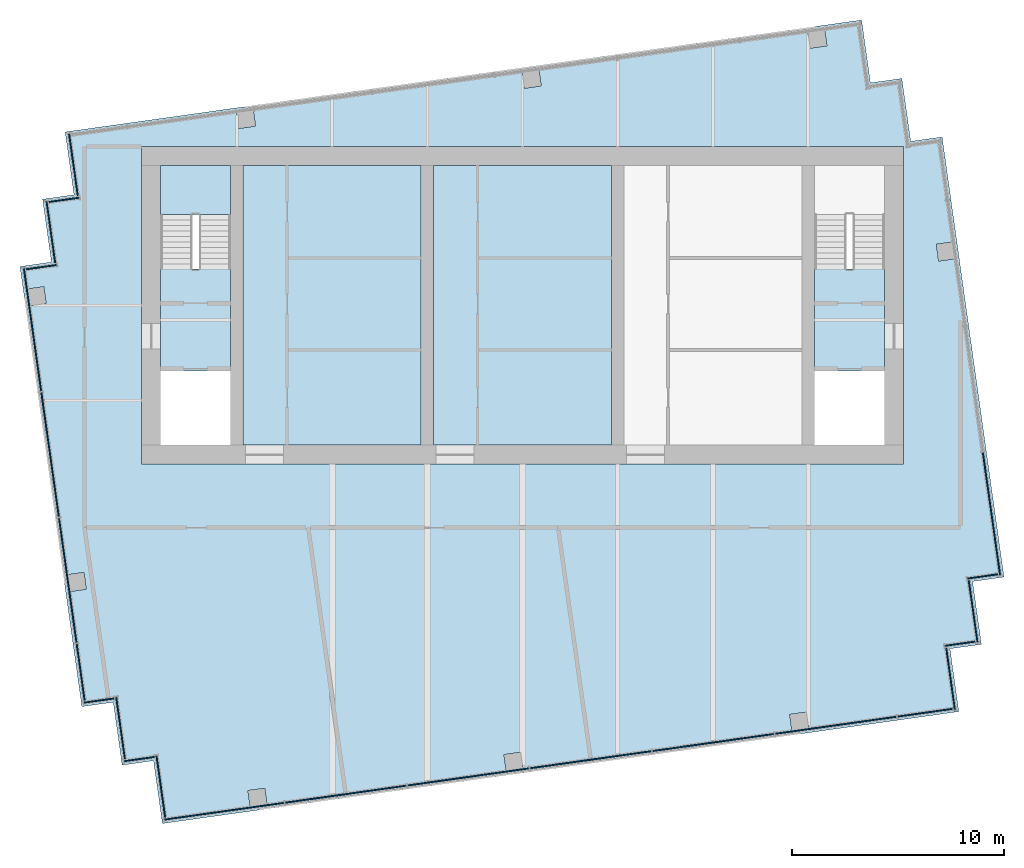
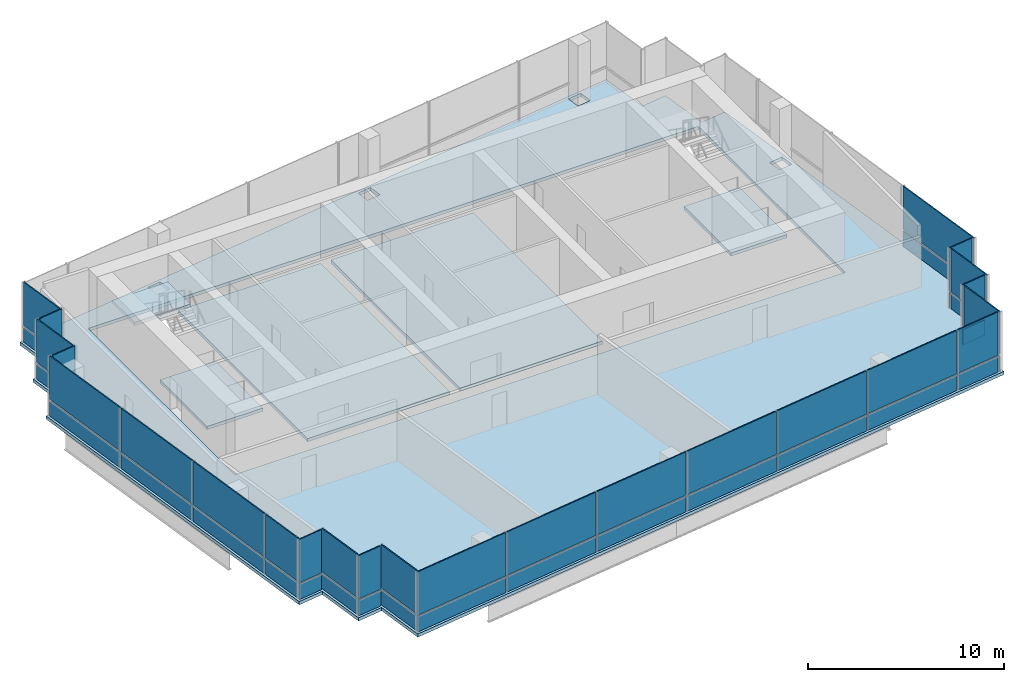
# One storey, part 6 of 9: 48 plates, 6 slabs, 16 elements without a shape of their own.
"""IFC4 building model written with IfcOpenShell, lengths in metres."""

import ifcopenshell
import ifcopenshell.guid

model = None  # the IFC model being written
_history = None  # IfcOwnerHistory: only IFC2X3 demands one
_inside = {}  # id of a spatial element -> (the spatial element, [elements in it])
_under = {}  # id of a project, library or spatial element -> (it, [spatial elements below it])
_declared = {}  # id of a project -> (the project, [libraries it declares])
_typed = {}  # id of a type object -> (the type object, [elements of that type])
_made_of = {}  # id of a material, layer set ... -> (it, [elements and type objects made of it])


def new_model(schema):
    """Start an empty IFC model of exactly this schema.

    Asked for "IFC4X3", IfcOpenShell would pick the latest addendum, in which some entities
    have other attributes; the version numbers below select the first issue.
    IFC2X3 requires an IfcOwnerHistory on every rooted entity: one is made here for all.
    """
    global model, _history
    if schema == "IFC4X3":
        model = ifcopenshell.file(schema_version=(4, 3, 0, 0))
    else:
        model = ifcopenshell.file(schema=schema)
    _inside.clear()
    _under.clear()
    _declared.clear()
    _typed.clear()
    _made_of.clear()
    _history = None
    if model.schema == "IFC2X3":
        org = make("IfcOrganization", Name="unknown")
        user = make(
            "IfcPersonAndOrganization",
            ThePerson=make("IfcPerson", FamilyName="unknown"),
            TheOrganization=org,
        )
        app = make(
            "IfcApplication",
            ApplicationDeveloper=org,
            Version="unknown",
            ApplicationFullName="unknown",
            ApplicationIdentifier="unknown",
        )
        _history = make(
            "IfcOwnerHistory",
            OwningUser=user,
            OwningApplication=app,
            ChangeAction="ADDED",
            CreationDate=0,
        )
    return model


def make(cls, **values):
    """One entity of the class cls with the attributes given. An attribute that is None is left unset."""
    return model.create_entity(
        cls, **{name: value for name, value in values.items() if value is not None}
    )


def rooted(cls, **values):
    """An entity with a GlobalId (a new one), such as an element, a storey or a relation."""
    return make(cls, GlobalId=ifcopenshell.guid.new(), OwnerHistory=_history, **values)


def si_unit(unit_type, name, prefix=None):
    """IfcSIUnit, for example si_unit("LENGTHUNIT", "METRE", prefix="MILLI")."""
    return make("IfcSIUnit", UnitType=unit_type, Prefix=prefix, Name=name)


def assignment(units):
    """IfcUnitAssignment: the units of a project."""
    return None if units is None else make("IfcUnitAssignment", Units=units)


def point(xyz):
    """IfcCartesianPoint."""
    return None if xyz is None else make("IfcCartesianPoint", Coordinates=xyz)


def direction(xyz):
    """IfcDirection."""
    return None if xyz is None else make("IfcDirection", DirectionRatios=xyz)


def frame(location, z_axis=None, x_axis=None):
    """IfcAxis2Placement3D, a coordinate frame: its origin and axes. An axis left out is left unset."""
    return make(
        "IfcAxis2Placement3D",
        Location=point(location),
        Axis=direction(z_axis),
        RefDirection=direction(x_axis),
    )


def frame_2d(location, x_axis=None):
    """IfcAxis2Placement2D, a coordinate frame in the plane: its origin and x axis."""
    return make(
        "IfcAxis2Placement2D", Location=point(location), RefDirection=direction(x_axis)
    )


def origin():
    """The frame at (0, 0, 0) with its axes left unset."""
    return frame((0.0, 0.0, 0.0))


def origin_2d():
    """The frame at (0, 0) in the plane with its x axis left unset."""
    return frame_2d((0.0, 0.0))


def place(relative_to, where):
    """IfcLocalPlacement: puts the frame where relative to a parent placement (None: the world)."""
    return make(
        "IfcLocalPlacement", PlacementRelTo=relative_to, RelativePlacement=where
    )


def context(
    kind, dimensions, precision=None, world=None, true_north=None, identifier=None
):
    """IfcGeometricRepresentationContext, for example the 3D "Model" context."""
    return make(
        "IfcGeometricRepresentationContext",
        ContextIdentifier=identifier,
        ContextType=kind,
        CoordinateSpaceDimension=dimensions,
        Precision=precision,
        WorldCoordinateSystem=world,
        TrueNorth=true_north,
    )


def subcontext(parent, identifier, kind, view, scale=None):
    """IfcGeometricRepresentationSubContext, for example "Body" below "Model"."""
    return make(
        "IfcGeometricRepresentationSubContext",
        ContextIdentifier=identifier,
        ContextType=kind,
        ParentContext=parent,
        TargetScale=scale,
        TargetView=view,
    )


def project(units=None, contexts=None):
    """IfcProject with its units and contexts."""
    return rooted(
        "IfcProject",
        Name="project",
        RepresentationContexts=contexts,
        UnitsInContext=assignment(units),
    )


def spatial(cls, under=None, at=None, **own):
    """A site, building, storey or space (cls), placed at a placement, below another one or the project."""
    s = rooted(cls, ObjectPlacement=at, **own)
    if under is not None:
        _under.setdefault(under.id(), (under, []))[1].append(s)
    return s


def polyline(points):
    """IfcPolyline through the points."""
    return make("IfcPolyline", Points=[point(p) for p in points])


def profile(cls, at=None, kind="AREA", **sizes):
    """A parametric profile (cls). Its sizes go by their IFC names, for example OverallWidth=200.0."""
    return make(cls, ProfileType=kind, Position=at, **sizes)


def rectangle(**sizes):
    """IfcRectangleProfileDef."""
    return profile("IfcRectangleProfileDef", **sizes)


def outline(outer, holes=None, kind="AREA"):
    """IfcArbitraryClosedProfileDef: a profile drawn as a closed curve; with holes, ...WithVoids."""
    if holes is None:
        return make("IfcArbitraryClosedProfileDef", ProfileType=kind, OuterCurve=outer)
    return make(
        "IfcArbitraryProfileDefWithVoids",
        ProfileType=kind,
        OuterCurve=outer,
        InnerCurves=holes,
    )


def extrude(swept, where, along, depth):
    """IfcExtrudedAreaSolid: the profile swept, set in the frame where, extruded along a direction by depth."""
    return make(
        "IfcExtrudedAreaSolid",
        SweptArea=swept,
        Position=where,
        ExtrudedDirection=direction(along),
        Depth=depth,
    )


def shape(context_of_items, identifier, shape_type, items):
    """IfcShapeRepresentation: the items that make up one representation, for example the "Body"."""
    return make(
        "IfcShapeRepresentation",
        ContextOfItems=context_of_items,
        RepresentationIdentifier=identifier,
        RepresentationType=shape_type,
        Items=items,
    )


def material(Name=None, Category=None):
    """IfcMaterial."""
    return make("IfcMaterial", Name=Name, Category=Category)


def layer(
    of_material, thickness, ventilated=None, Name=None, Category=None, Priority=None
):
    """IfcMaterialLayer: one layer of a wall or slab, of a material (None: an air gap)."""
    return make(
        "IfcMaterialLayer",
        Material=of_material,
        LayerThickness=thickness,
        IsVentilated=ventilated,
        Name=Name,
        Category=Category,
        Priority=Priority,
    )


def layer_set(layers, Name=None):
    """IfcMaterialLayerSet."""
    return make("IfcMaterialLayerSet", MaterialLayers=layers, LayerSetName=Name)


def made_of(thing, what):
    """Note that an element or type object is made of a material, layer set ...; save() writes the relation."""
    if what is not None:
        _made_of.setdefault(what.id(), (what, []))[1].append(thing)
    return thing


def type_object(cls, material=None, **own):
    """A type object (cls), such as IfcWallType, which elements share."""
    return made_of(rooted(cls, **own), material)


def element(
    cls,
    number,
    at=None,
    inside=None,
    cuts=None,
    type_object=None,
    material=None,
    context=None,
    identifier="Body",
    shape_type=None,
    held_by="IfcProductDefinitionShape",
    body=None,
    shapes=None,
    **own,
):
    """One element of the class cls, such as IfcWall. Its Tag is "e" and its number.

    at: its placement. inside: the storey or other place that contains it. cuts: it is an
    opening in that element (IfcRelVoidsElement). A single representation is given by context,
    identifier, shape_type and body (its items); several are given by shapes. held_by: the class
    of the entity that holds the representations. save() writes the other relations.
    """
    e = rooted(cls, Tag="e%d" % number, ObjectPlacement=at, **own)
    if body is not None:
        shapes = [shape(context, identifier, shape_type, body)]
    if shapes is not None:
        e.Representation = make(held_by, Representations=shapes)
    if inside is not None:
        _inside.setdefault(inside.id(), (inside, []))[1].append(e)
    if cuts is not None:
        rooted(
            "IfcRelVoidsElement", RelatingBuildingElement=cuts, RelatedOpeningElement=e
        )
    if type_object is not None:
        _typed.setdefault(type_object.id(), (type_object, []))[1].append(e)
    return made_of(e, material)


def aggregate(whole, parts):
    """IfcRelAggregates: a whole, such as a stair, and the parts it consists of."""
    return rooted("IfcRelAggregates", RelatingObject=whole, RelatedObjects=parts)


def save(model, path):
    """Write the relations noted so far, then the file.

    IfcRelAggregates (storeys below a building ...), IfcRelContainedInSpatialStructure (elements
    in a storey), IfcRelDefinesByType, IfcRelAssociatesMaterial and IfcRelDeclares: one each for
    every whole, place, type object, material and project.
    """
    for whole, parts in _under.values():
        aggregate(whole, parts)
    for where, things in _inside.values():
        rooted(
            "IfcRelContainedInSpatialStructure",
            RelatedElements=things,
            RelatingStructure=where,
        )
    for kind, things in _typed.values():
        rooted("IfcRelDefinesByType", RelatedObjects=things, RelatingType=kind)
    for what, things in _made_of.values():
        rooted("IfcRelAssociatesMaterial", RelatedObjects=things, RelatingMaterial=what)
    for by, libraries in _declared.values():
        rooted("IfcRelDeclares", RelatingContext=by, RelatedDefinitions=libraries)
    model.write(path)


model = new_model("IFC4")

# Units and contexts
model_context = context("Model", 3, precision=1e-05, world=origin(), true_north=direction((0.0, 1.0)))
body_context = subcontext(model_context, "Body", "Model", "MODEL_VIEW")
ifc_project = project(units=[si_unit("LENGTHUNIT", "METRE"), si_unit("AREAUNIT", "SQUARE_METRE"), si_unit("VOLUMEUNIT", "CUBIC_METRE"), si_unit("PLANEANGLEUNIT", "RADIAN"), si_unit("MASSUNIT", "GRAM", prefix="KILO")], contexts=[model_context])

# Site, building, storey
site_placement = place(None, origin())
site = spatial("IfcSite", under=ifc_project, at=site_placement, CompositionType="ELEMENT")
building_placement = place(site_placement, origin())
building = spatial("IfcBuilding", under=site, at=building_placement, Name="Rattan Terrace Tower", CompositionType="ELEMENT")
storey_placement = place(building_placement, frame((0.0, 0.0, 312.300048828125)))
storey = spatial("IfcBuildingStorey", under=building, at=storey_placement, Name="C06", CompositionType="ELEMENT", Elevation=312.300048828125)

# Stair, slab
ifc_material_1 = material(Name="Concrete C40/50", Category="concrete")
stair_type = type_object("IfcStairType", Name="Core exit stair 1500", PredefinedType="HALF_TURN_STAIR", material=ifc_material_1)
stair_placement = place(storey_placement, origin())
stair = element("IfcStair", 1, at=stair_placement, inside=storey, type_object=stair_type, Name="C06 exit stair 1", PredefinedType="HALF_TURN_STAIR")
ifc_material_2 = material(Name="Concrete C40/50", Category="concrete")
ifc_layer_1 = layer(ifc_material_2, 0.199951171875)
ifc_layer_set_1 = layer_set([ifc_layer_1], Name="Core exit stair landing")
slab_type_1 = type_object("IfcSlabType", Name="Core exit stair landing", PredefinedType="LANDING", material=ifc_layer_set_1)
slab_1_placement = place(storey_placement, frame((0.0, 0.0, 1.800048828125)))
slab_1 = element("IfcSlab", 2, at=slab_1_placement, type_object=slab_type_1, Name="S1 landing 1", PredefinedType="LANDING", context=body_context, shape_type="SweptSolid", body=[
    extrude(outline(polyline([(-13.800048828125, 4.300048828125), (-13.800048828125, 6.60009765625), (-17.10009765625, 6.60009765625), (-17.10009765625, 4.300048828125), (-13.800048828125, 4.300048828125)])), origin(), (0.0, 0.0, 1.0), 0.199951171875),
])
aggregate(stair, [slab_1])

# Slabs
ifc_material_3 = material(Name="Concrete C35/45", Category="concrete")
ifc_layer_2 = layer(ifc_material_3, 0.199951171875)
ifc_layer_set_2 = layer_set([ifc_layer_2], Name="Frame composite floor slab 200")
slab_type_2 = type_object("IfcSlabType", Name="Frame composite floor slab 200", PredefinedType="FLOOR", material=ifc_layer_set_2)
slab_2_placement = place(storey_placement, frame((0.0, 0.0, -0.199951171875)))
element("IfcSlab", 3, at=slab_2_placement, inside=storey, type_object=slab_type_2, Name="Floor slab", PredefinedType="FLOOR", context=body_context, shape_type="SweptSolid", body=[
    extrude(outline(polyline([(-22.260986328125, 2.0458984375), (-23.7470703125, 1.8369140625), (-20.823974609375, -18.958984375), (-19.340087890625, -18.75), (-18.9208984375, -21.722900390625), (-17.43701171875, -21.514892578125), (-17.01904296875, -24.48388671875), (-16.52392578125, -24.4140625), (20.115966796875, -19.263916015625), (20.612060546875, -19.195068359375), (20.195068359375, -16.22509765625), (21.678955078125, -16.01611328125), (21.260986328125, -13.0458984375), (22.7470703125, -12.8369140625), (19.823974609375, 7.958984375), (18.340087890625, 7.75), (17.9208984375, 10.722900390625), (16.43701171875, 10.514892578125), (16.01904296875, 13.48388671875), (15.52392578125, 13.4140625), (-21.115966796875, 8.263916015625), (-21.612060546875, 8.195068359375), (-21.195068359375, 5.22509765625), (-22.678955078125, 5.01611328125), (-22.260986328125, 2.0458984375)]), holes=[polyline([(-12.0732421875, -23.6064453125), (-12.1845703125, -22.814208984375), (-12.976806640625, -22.925537109375), (-12.865478515625, -23.7177734375), (-12.0732421875, -23.6064453125)]), polyline([(0.022705078125, -21.906494140625), (-0.088623046875, -21.1142578125), (-0.880859375, -21.2255859375), (-0.769287109375, -22.017822265625), (0.022705078125, -21.906494140625)]), polyline([(-20.7255859375, -12.619140625), (-21.517822265625, -12.730712890625), (-21.406494140625, -13.522705078125), (-20.6142578125, -13.411376953125), (-20.7255859375, -12.619140625)]), polyline([(-18.0, -6.60009765625), (-18.0, -7.5), (18.0, -7.5), (18.0, -6.60009765625), (18.0, 6.60009765625), (18.0, 7.5), (-18.0, 7.5), (-18.0, 6.60009765625), (-18.0, -6.60009765625)]), polyline([(-22.51123046875, 0.088623046875), (-22.62255859375, 0.880859375), (-23.414794921875, 0.769287109375), (-23.303466796875, -0.022705078125), (-22.51123046875, 0.088623046875)]), polyline([(-12.619140625, 8.468505859375), (-12.730712890625, 9.2607421875), (-13.522705078125, 9.1494140625), (-13.411376953125, 8.357177734375), (-12.619140625, 8.468505859375)]), polyline([(13.522705078125, -20.009521484375), (13.411376953125, -19.21728515625), (12.619140625, -19.32861328125), (12.730712890625, -20.120849609375), (13.522705078125, -20.009521484375)]), polyline([(20.45068359375, 2.20556640625), (20.33935546875, 2.997802734375), (19.547119140625, 2.886474609375), (19.65869140625, 2.09423828125), (20.45068359375, 2.20556640625)]), polyline([(0.088623046875, 10.255126953125), (0.880859375, 10.36669921875), (0.769287109375, 11.15869140625), (-0.022705078125, 11.04736328125), (0.088623046875, 10.255126953125)]), polyline([(13.588623046875, 12.152099609375), (14.380859375, 12.263671875), (14.269287109375, 13.055908203125), (13.477294921875, 12.9443359375), (13.588623046875, 12.152099609375)])]), origin(), (0.0, 0.0, 1.0), 0.199951171875),
])
slab_3_placement = place(storey_placement, frame((0.0, 0.0, -0.199951171875)))
element("IfcSlab", 4, at=slab_3_placement, inside=storey, type_object=slab_type_2, Name="Floor slab", PredefinedType="FLOOR", context=body_context, shape_type="SweptSolid", body=[
    extrude(outline(polyline([(-13.199951171875, 6.60009765625), (-13.199951171875, -6.60009765625), (-4.800048828125, -6.60009765625), (-4.800048828125, 6.60009765625), (-13.199951171875, 6.60009765625)])), origin(), (0.0, 0.0, 1.0), 0.199951171875),
])
slab_4_placement = place(storey_placement, frame((0.0, 0.0, -0.199951171875)))
element("IfcSlab", 5, at=slab_4_placement, inside=storey, type_object=slab_type_2, Name="Floor slab", PredefinedType="FLOOR", context=body_context, shape_type="SweptSolid", body=[
    extrude(outline(polyline([(-4.199951171875, 6.60009765625), (-4.199951171875, -6.60009765625), (4.199951171875, -6.60009765625), (4.199951171875, 6.60009765625), (-4.199951171875, 6.60009765625)])), origin(), (0.0, 0.0, 1.0), 0.199951171875),
])
slab_5_placement = place(storey_placement, frame((0.0, 0.0, -0.199951171875)))
element("IfcSlab", 6, at=slab_5_placement, inside=storey, type_object=slab_type_2, Name="Floor slab", PredefinedType="FLOOR", context=body_context, shape_type="SweptSolid", body=[
    extrude(outline(polyline([(-13.800048828125, -3.10009765625), (-13.800048828125, 1.7099609375), (-17.10009765625, 1.7099609375), (-17.10009765625, -3.10009765625), (-13.800048828125, -3.10009765625)])), origin(), (0.0, 0.0, 1.0), 0.199951171875),
])
slab_6_placement = place(storey_placement, frame((0.0, 0.0, -0.199951171875)))
element("IfcSlab", 7, at=slab_6_placement, inside=storey, type_object=slab_type_2, Name="Floor slab", PredefinedType="FLOOR", context=body_context, shape_type="SweptSolid", body=[
    extrude(outline(polyline([(13.800048828125, -3.10009765625), (17.10009765625, -3.10009765625), (17.10009765625, 1.7099609375), (13.800048828125, 1.7099609375), (13.800048828125, -3.10009765625)])), origin(), (0.0, 0.0, 1.0), 0.199951171875),
])

# Curtain wall, plates
ifc_material_4 = material(Name="Aluminium and laminated glass", Category="aluminium")
ifc_layer_3 = layer(ifc_material_4, 0.239990234375)
ifc_layer_set_3 = layer_set([ifc_layer_3], Name="Lantern Stick Curtain Wall")
curtain_wall_type = type_object("IfcCurtainWallType", Name="Lantern Stick Curtain Wall", PredefinedType="NOTDEFINED", material=ifc_layer_set_3)
curtain_wall_1_placement = place(storey_placement, origin())
curtain_wall_1 = element("IfcCurtainWall", 8, at=curtain_wall_1_placement, inside=storey, type_object=curtain_wall_type, Name="Lantern curtain wall C06-1", PredefinedType="NOTDEFINED")
ifc_material_5 = material(Name="Laminated low-iron glass", Category="glass")
ifc_layer_4 = layer(ifc_material_5, 0.06591796875)
ifc_layer_set_4 = layer_set([ifc_layer_4], Name="Lantern CW Laminated Panel")
plate_type = type_object("IfcPlateType", Name="Lantern CW Laminated Panel", PredefinedType="CURTAIN_PANEL", material=ifc_layer_set_4)
plate_1_placement = place(storey_placement, frame((-23.1552734375, -1.152099609375, 0.0), z_axis=(0.0, 0.0, 1.0), x_axis=(0.139187707455, -0.990266015823, 0.0)))
plate_1 = element("IfcPlate", 9, at=plate_1_placement, type_object=plate_type, Name="Panel cwl-C06-001.1.1", PredefinedType="CURTAIN_PANEL", context=body_context, shape_type="SweptSolid", body=[
    extrude(rectangle(XDim=5.844970703125, YDim=0.06591796875, at=origin_2d()), origin(), (0.0, 0.0, 1.0), 0.949951171875),
])
plate_2_placement = place(storey_placement, frame((-23.1552734375, -1.152099609375, 1.0498046875), z_axis=(0.0, 0.0, 1.0), x_axis=(0.139187707455, -0.990266015823, 0.0)))
plate_2 = element("IfcPlate", 10, at=plate_2_placement, type_object=plate_type, Name="Panel cwl-C06-001.1.2", PredefinedType="CURTAIN_PANEL", context=body_context, shape_type="SweptSolid", body=[
    extrude(rectangle(XDim=5.844970703125, YDim=0.06591796875, at=origin_2d()), origin(), (0.0, 0.0, 1.0), 2.699951171875),
])
plate_3_placement = place(storey_placement, frame((-22.325927734375, -7.0517578125, 0.0), z_axis=(0.0, 0.0, 1.0), x_axis=(0.139187707455, -0.990266015823, 0.0)))
plate_3 = element("IfcPlate", 11, at=plate_3_placement, type_object=plate_type, Name="Panel cwl-C06-001.2.1", PredefinedType="CURTAIN_PANEL", context=body_context, shape_type="SweptSolid", body=[
    extrude(rectangle(XDim=5.929931640625, YDim=0.06591796875, at=origin_2d()), origin(), (0.0, 0.0, 1.0), 0.949951171875),
])
plate_4_placement = place(storey_placement, frame((-22.325927734375, -7.0517578125, 1.0498046875), z_axis=(0.0, 0.0, 1.0), x_axis=(0.139187707455, -0.990266015823, 0.0)))
plate_4 = element("IfcPlate", 12, at=plate_4_placement, type_object=plate_type, Name="Panel cwl-C06-001.2.2", PredefinedType="CURTAIN_PANEL", context=body_context, shape_type="SweptSolid", body=[
    extrude(rectangle(XDim=5.929931640625, YDim=0.06591796875, at=origin_2d()), origin(), (0.0, 0.0, 1.0), 2.699951171875),
])
plate_5_placement = place(storey_placement, frame((-21.49072265625, -12.993408203125, 0.0), z_axis=(0.0, 0.0, 1.0), x_axis=(0.139187707455, -0.990266015823, 0.0)))
plate_5 = element("IfcPlate", 13, at=plate_5_placement, type_object=plate_type, Name="Panel cwl-C06-001.3.1", PredefinedType="CURTAIN_PANEL", context=body_context, shape_type="SweptSolid", body=[
    extrude(rectangle(XDim=5.929931640625, YDim=0.06591796875, at=origin_2d()), origin(), (0.0, 0.0, 1.0), 0.949951171875),
])
plate_6_placement = place(storey_placement, frame((-21.49072265625, -12.993408203125, 1.0498046875), z_axis=(0.0, 0.0, 1.0), x_axis=(0.139187707455, -0.990266015823, 0.0)))
plate_6 = element("IfcPlate", 14, at=plate_6_placement, type_object=plate_type, Name="Panel cwl-C06-001.3.2", PredefinedType="CURTAIN_PANEL", context=body_context, shape_type="SweptSolid", body=[
    extrude(rectangle(XDim=5.929931640625, YDim=0.06591796875, at=origin_2d()), origin(), (0.0, 0.0, 1.0), 2.699951171875),
])
plate_7_placement = place(storey_placement, frame((-20.88232421875, -17.323486328125, 0.0), z_axis=(0.0, 0.0, 1.0), x_axis=(0.139187707455, -0.990266015823, 0.0)))
plate_7 = element("IfcPlate", 15, at=plate_7_placement, type_object=plate_type, Name="Panel cwl-C06-001.4.1", PredefinedType="CURTAIN_PANEL", context=body_context, shape_type="SweptSolid", body=[
    extrude(rectangle(XDim=2.67529296875, YDim=0.06591796875, at=origin_2d()), origin(), (0.0, 0.0, 1.0), 0.949951171875),
])
plate_8_placement = place(storey_placement, frame((-20.88232421875, -17.323486328125, 1.0498046875), z_axis=(0.0, 0.0, 1.0), x_axis=(0.139187707455, -0.990266015823, 0.0)))
plate_8 = element("IfcPlate", 16, at=plate_8_placement, type_object=plate_type, Name="Panel cwl-C06-001.4.2", PredefinedType="CURTAIN_PANEL", context=body_context, shape_type="SweptSolid", body=[
    extrude(rectangle(XDim=2.67529296875, YDim=0.06591796875, at=origin_2d()), origin(), (0.0, 0.0, 1.0), 2.699951171875),
])
aggregate(curtain_wall_1, [plate_1, plate_2, plate_3, plate_4, plate_5, plate_6, plate_7, plate_8])

curtain_wall_2_placement = place(storey_placement, origin())
curtain_wall_2 = element("IfcCurtainWall", 17, at=curtain_wall_2_placement, inside=storey, type_object=curtain_wall_type, Name="Lantern curtain wall C06-2", PredefinedType="NOTDEFINED")
plate_9_placement = place(storey_placement, frame((-20.021484375, -18.67431640625, 0.0), z_axis=(0.0, 0.0, 1.0), x_axis=(0.990227803001, 0.139459306479, 0.0)))
plate_9 = element("IfcPlate", 18, at=plate_9_placement, type_object=plate_type, Name="Panel cwl-C06-002.1.1", PredefinedType="CURTAIN_PANEL", context=body_context, shape_type="SweptSolid", body=[
    extrude(rectangle(XDim=1.428466796875, YDim=0.06591796875, at=origin_2d()), origin(), (0.0, 0.0, 1.0), 0.949951171875),
])
plate_10_placement = place(storey_placement, frame((-20.021484375, -18.67431640625, 1.0498046875), z_axis=(0.0, 0.0, 1.0), x_axis=(0.990227803001, 0.139459306479, 0.0)))
plate_10 = element("IfcPlate", 19, at=plate_10_placement, type_object=plate_type, Name="Panel cwl-C06-002.1.2", PredefinedType="CURTAIN_PANEL", context=body_context, shape_type="SweptSolid", body=[
    extrude(rectangle(XDim=1.428466796875, YDim=0.06591796875, at=origin_2d()), origin(), (0.0, 0.0, 1.0), 2.699951171875),
])
aggregate(curtain_wall_2, [plate_9, plate_10])

curtain_wall_3_placement = place(storey_placement, origin())
curtain_wall_3 = element("IfcCurtainWall", 20, at=curtain_wall_3_placement, inside=storey, type_object=curtain_wall_type, Name="Lantern curtain wall C06-3", PredefinedType="NOTDEFINED")
plate_11_placement = place(storey_placement, frame((-18.997802734375, -19.96044921875, 0.0), z_axis=(0.0, 0.0, 1.0), x_axis=(0.139555918709, -0.990214191755, 0.0)))
plate_11 = element("IfcPlate", 21, at=plate_11_placement, type_object=plate_type, Name="Panel cwl-C06-003.1.1", PredefinedType="CURTAIN_PANEL", context=body_context, shape_type="SweptSolid", body=[
    extrude(rectangle(XDim=2.932373046875, YDim=0.06591796875, at=origin_2d()), origin(), (0.0, 0.0, 1.0), 0.949951171875),
])
plate_12_placement = place(storey_placement, frame((-18.997802734375, -19.96044921875, 1.0498046875), z_axis=(0.0, 0.0, 1.0), x_axis=(0.139555918709, -0.990214191755, 0.0)))
plate_12 = element("IfcPlate", 22, at=plate_12_placement, type_object=plate_type, Name="Panel cwl-C06-003.1.2", PredefinedType="CURTAIN_PANEL", context=body_context, shape_type="SweptSolid", body=[
    extrude(rectangle(XDim=2.932373046875, YDim=0.06591796875, at=origin_2d()), origin(), (0.0, 0.0, 1.0), 2.699951171875),
])
aggregate(curtain_wall_3, [plate_11, plate_12])

curtain_wall_4_placement = place(storey_placement, origin())
curtain_wall_4 = element("IfcCurtainWall", 23, at=curtain_wall_4_placement, inside=storey, type_object=curtain_wall_type, Name="Lantern curtain wall C06-4", PredefinedType="NOTDEFINED")
plate_13_placement = place(storey_placement, frame((-18.11865234375, -21.43896484375, 0.0), z_axis=(0.0, 0.0, 1.0), x_axis=(0.990319742912, 0.13880492354, 0.0)))
plate_13 = element("IfcPlate", 24, at=plate_13_placement, type_object=plate_type, Name="Panel cwl-C06-004.1.1", PredefinedType="CURTAIN_PANEL", context=body_context, shape_type="SweptSolid", body=[
    extrude(rectangle(XDim=1.428466796875, YDim=0.06591796875, at=origin_2d()), origin(), (0.0, 0.0, 1.0), 0.949951171875),
])
plate_14_placement = place(storey_placement, frame((-18.11865234375, -21.43896484375, 1.0498046875), z_axis=(0.0, 0.0, 1.0), x_axis=(0.990319742912, 0.13880492354, 0.0)))
plate_14 = element("IfcPlate", 25, at=plate_14_placement, type_object=plate_type, Name="Panel cwl-C06-004.1.2", PredefinedType="CURTAIN_PANEL", context=body_context, shape_type="SweptSolid", body=[
    extrude(rectangle(XDim=1.428466796875, YDim=0.06591796875, at=origin_2d()), origin(), (0.0, 0.0, 1.0), 2.699951171875),
])
aggregate(curtain_wall_4, [plate_13, plate_14])

curtain_wall_5_placement = place(storey_placement, origin())
curtain_wall_5 = element("IfcCurtainWall", 26, at=curtain_wall_5_placement, inside=storey, type_object=curtain_wall_type, Name="Lantern curtain wall C06-5", PredefinedType="NOTDEFINED")
plate_15_placement = place(storey_placement, frame((-17.09521484375, -22.723388671875, 0.0), z_axis=(0.0, 0.0, 1.0), x_axis=(0.139413247769, -0.990234288614, 0.0)))
plate_15 = element("IfcPlate", 27, at=plate_15_placement, type_object=plate_type, Name="Panel cwl-C06-005.1.1", PredefinedType="CURTAIN_PANEL", context=body_context, shape_type="SweptSolid", body=[
    extrude(rectangle(XDim=2.92822265625, YDim=0.06591796875, at=origin_2d()), origin(), (0.0, 0.0, 1.0), 0.949951171875),
])
plate_16_placement = place(storey_placement, frame((-17.09521484375, -22.723388671875, 1.0498046875), z_axis=(0.0, 0.0, 1.0), x_axis=(0.139413247769, -0.990234288614, 0.0)))
plate_16 = element("IfcPlate", 28, at=plate_16_placement, type_object=plate_type, Name="Panel cwl-C06-005.1.2", PredefinedType="CURTAIN_PANEL", context=body_context, shape_type="SweptSolid", body=[
    extrude(rectangle(XDim=2.92822265625, YDim=0.06591796875, at=origin_2d()), origin(), (0.0, 0.0, 1.0), 2.699951171875),
])
aggregate(curtain_wall_5, [plate_15, plate_16])

curtain_wall_6_placement = place(storey_placement, origin())
curtain_wall_6 = element("IfcCurtainWall", 29, at=curtain_wall_6_placement, inside=storey, type_object=curtain_wall_type, Name="Lantern curtain wall C06-6", PredefinedType="NOTDEFINED")
plate_17_placement = place(storey_placement, frame((-14.10595703125, -23.90283203125, 0.0), z_axis=(0.0, 0.0, 1.0), x_axis=(0.990266952226, 0.13918104515, 0.0)))
plate_17 = element("IfcPlate", 30, at=plate_17_placement, type_object=plate_type, Name="Panel cwl-C06-006.1.1", PredefinedType="CURTAIN_PANEL", context=body_context, shape_type="SweptSolid", body=[
    extrude(rectangle(XDim=5.69091796875, YDim=0.06591796875, at=origin_2d()), origin(), (0.0, 0.0, 1.0), 0.949951171875),
])
plate_18_placement = place(storey_placement, frame((-14.10595703125, -23.90283203125, 1.0498046875), z_axis=(0.0, 0.0, 1.0), x_axis=(0.990266952226, 0.13918104515, 0.0)))
plate_18 = element("IfcPlate", 31, at=plate_18_placement, type_object=plate_type, Name="Panel cwl-C06-006.1.2", PredefinedType="CURTAIN_PANEL", context=body_context, shape_type="SweptSolid", body=[
    extrude(rectangle(XDim=5.69091796875, YDim=0.06591796875, at=origin_2d()), origin(), (0.0, 0.0, 1.0), 2.699951171875),
])
plate_19_placement = place(storey_placement, frame((-8.359130859375, -23.09521484375, 0.0), z_axis=(0.0, 0.0, 1.0), x_axis=(0.990266952226, 0.13918104515, 0.0)))
plate_19 = element("IfcPlate", 32, at=plate_19_placement, type_object=plate_type, Name="Panel cwl-C06-006.2.1", PredefinedType="CURTAIN_PANEL", context=body_context, shape_type="SweptSolid", body=[
    extrude(rectangle(XDim=5.77587890625, YDim=0.06591796875, at=origin_2d()), origin(), (0.0, 0.0, 1.0), 0.949951171875),
])
plate_20_placement = place(storey_placement, frame((-8.359130859375, -23.09521484375, 1.0498046875), z_axis=(0.0, 0.0, 1.0), x_axis=(0.990266952226, 0.13918104515, 0.0)))
plate_20 = element("IfcPlate", 33, at=plate_20_placement, type_object=plate_type, Name="Panel cwl-C06-006.2.2", PredefinedType="CURTAIN_PANEL", context=body_context, shape_type="SweptSolid", body=[
    extrude(rectangle(XDim=5.77587890625, YDim=0.06591796875, at=origin_2d()), origin(), (0.0, 0.0, 1.0), 2.699951171875),
])
plate_21_placement = place(storey_placement, frame((-2.570068359375, -22.281494140625, 0.0), z_axis=(0.0, 0.0, 1.0), x_axis=(0.990266952226, 0.13918104515, 0.0)))
plate_21 = element("IfcPlate", 34, at=plate_21_placement, type_object=plate_type, Name="Panel cwl-C06-006.3.1", PredefinedType="CURTAIN_PANEL", context=body_context, shape_type="SweptSolid", body=[
    extrude(rectangle(XDim=5.77587890625, YDim=0.06591796875, at=origin_2d()), origin(), (0.0, 0.0, 1.0), 0.949951171875),
])
plate_22_placement = place(storey_placement, frame((-2.570068359375, -22.281494140625, 1.0498046875), z_axis=(0.0, 0.0, 1.0), x_axis=(0.990266952226, 0.13918104515, 0.0)))
plate_22 = element("IfcPlate", 35, at=plate_22_placement, type_object=plate_type, Name="Panel cwl-C06-006.3.2", PredefinedType="CURTAIN_PANEL", context=body_context, shape_type="SweptSolid", body=[
    extrude(rectangle(XDim=5.77587890625, YDim=0.06591796875, at=origin_2d()), origin(), (0.0, 0.0, 1.0), 2.699951171875),
])
plate_23_placement = place(storey_placement, frame((3.21923828125, -21.4677734375, 0.0), z_axis=(0.0, 0.0, 1.0), x_axis=(0.990266952226, 0.13918104515, 0.0)))
plate_23 = element("IfcPlate", 36, at=plate_23_placement, type_object=plate_type, Name="Panel cwl-C06-006.4.1", PredefinedType="CURTAIN_PANEL", context=body_context, shape_type="SweptSolid", body=[
    extrude(rectangle(XDim=5.77587890625, YDim=0.06591796875, at=origin_2d()), origin(), (0.0, 0.0, 1.0), 0.949951171875),
])
plate_24_placement = place(storey_placement, frame((3.21923828125, -21.4677734375, 1.0498046875), z_axis=(0.0, 0.0, 1.0), x_axis=(0.990266952226, 0.13918104515, 0.0)))
plate_24 = element("IfcPlate", 37, at=plate_24_placement, type_object=plate_type, Name="Panel cwl-C06-006.4.2", PredefinedType="CURTAIN_PANEL", context=body_context, shape_type="SweptSolid", body=[
    extrude(rectangle(XDim=5.77587890625, YDim=0.06591796875, at=origin_2d()), origin(), (0.0, 0.0, 1.0), 2.699951171875),
])
plate_25_placement = place(storey_placement, frame((9.00830078125, -20.654296875, 0.0), z_axis=(0.0, 0.0, 1.0), x_axis=(0.990266952226, 0.13918104515, 0.0)))
plate_25 = element("IfcPlate", 38, at=plate_25_placement, type_object=plate_type, Name="Panel cwl-C06-006.5.1", PredefinedType="CURTAIN_PANEL", context=body_context, shape_type="SweptSolid", body=[
    extrude(rectangle(XDim=5.77587890625, YDim=0.06591796875, at=origin_2d()), origin(), (0.0, 0.0, 1.0), 0.949951171875),
])
plate_26_placement = place(storey_placement, frame((9.00830078125, -20.654296875, 1.0498046875), z_axis=(0.0, 0.0, 1.0), x_axis=(0.990266952226, 0.13918104515, 0.0)))
plate_26 = element("IfcPlate", 39, at=plate_26_placement, type_object=plate_type, Name="Panel cwl-C06-006.5.2", PredefinedType="CURTAIN_PANEL", context=body_context, shape_type="SweptSolid", body=[
    extrude(rectangle(XDim=5.77587890625, YDim=0.06591796875, at=origin_2d()), origin(), (0.0, 0.0, 1.0), 2.699951171875),
])
plate_27_placement = place(storey_placement, frame((14.79736328125, -19.840576171875, 0.0), z_axis=(0.0, 0.0, 1.0), x_axis=(0.990266952226, 0.13918104515, 0.0)))
plate_27 = element("IfcPlate", 40, at=plate_27_placement, type_object=plate_type, Name="Panel cwl-C06-006.6.1", PredefinedType="CURTAIN_PANEL", context=body_context, shape_type="SweptSolid", body=[
    extrude(rectangle(XDim=5.77587890625, YDim=0.06591796875, at=origin_2d()), origin(), (0.0, 0.0, 1.0), 0.949951171875),
])
plate_28_placement = place(storey_placement, frame((14.79736328125, -19.840576171875, 1.0498046875), z_axis=(0.0, 0.0, 1.0), x_axis=(0.990266952226, 0.13918104515, 0.0)))
plate_28 = element("IfcPlate", 41, at=plate_28_placement, type_object=plate_type, Name="Panel cwl-C06-006.6.2", PredefinedType="CURTAIN_PANEL", context=body_context, shape_type="SweptSolid", body=[
    extrude(rectangle(XDim=5.77587890625, YDim=0.06591796875, at=origin_2d()), origin(), (0.0, 0.0, 1.0), 2.699951171875),
])
plate_29_placement = place(storey_placement, frame((19.013916015625, -19.248046875, 0.0), z_axis=(0.0, 0.0, 1.0), x_axis=(0.990266952226, 0.13918104515, 0.0)))
plate_29 = element("IfcPlate", 42, at=plate_29_placement, type_object=plate_type, Name="Panel cwl-C06-006.7.1", PredefinedType="CURTAIN_PANEL", context=body_context, shape_type="SweptSolid", body=[
    extrude(rectangle(XDim=2.599853515625, YDim=0.06591796875, at=origin_2d()), origin(), (0.0, 0.0, 1.0), 0.949951171875),
])
plate_30_placement = place(storey_placement, frame((19.013916015625, -19.248046875, 1.0498046875), z_axis=(0.0, 0.0, 1.0), x_axis=(0.990266952226, 0.13918104515, 0.0)))
plate_30 = element("IfcPlate", 43, at=plate_30_placement, type_object=plate_type, Name="Panel cwl-C06-006.7.2", PredefinedType="CURTAIN_PANEL", context=body_context, shape_type="SweptSolid", body=[
    extrude(rectangle(XDim=2.599853515625, YDim=0.06591796875, at=origin_2d()), origin(), (0.0, 0.0, 1.0), 2.699951171875),
])
aggregate(curtain_wall_6, [plate_17, plate_18, plate_19, plate_20, plate_21, plate_22, plate_23, plate_24, plate_25, plate_26, plate_27, plate_28, plate_29, plate_30])

curtain_wall_7_placement = place(storey_placement, origin())
curtain_wall_7 = element("IfcCurtainWall", 44, at=curtain_wall_7_placement, inside=storey, type_object=curtain_wall_type, Name="Lantern curtain wall C06-7", PredefinedType="NOTDEFINED")
plate_31_placement = place(storey_placement, frame((20.223388671875, -17.6494140625, 0.0), z_axis=(0.0, 0.0, 1.0), x_axis=(-0.139040257974, 0.990286729519, 0.0)))
plate_31 = element("IfcPlate", 45, at=plate_31_placement, type_object=plate_type, Name="Panel cwl-C06-007.1.1", PredefinedType="CURTAIN_PANEL", context=body_context, shape_type="SweptSolid", body=[
    extrude(rectangle(XDim=2.92919921875, YDim=0.06591796875, at=origin_2d()), origin(), (0.0, 0.0, 1.0), 0.949951171875),
])
plate_32_placement = place(storey_placement, frame((20.223388671875, -17.6494140625, 1.0498046875), z_axis=(0.0, 0.0, 1.0), x_axis=(-0.139040257974, 0.990286729519, 0.0)))
plate_32 = element("IfcPlate", 46, at=plate_32_placement, type_object=plate_type, Name="Panel cwl-C06-007.1.2", PredefinedType="CURTAIN_PANEL", context=body_context, shape_type="SweptSolid", body=[
    extrude(rectangle(XDim=2.92919921875, YDim=0.06591796875, at=origin_2d()), origin(), (0.0, 0.0, 1.0), 2.699951171875),
])
aggregate(curtain_wall_7, [plate_31, plate_32])

curtain_wall_8_placement = place(storey_placement, origin())
curtain_wall_8 = element("IfcCurtainWall", 47, at=curtain_wall_8_placement, inside=storey, type_object=curtain_wall_type, Name="Lantern curtain wall C06-8", PredefinedType="NOTDEFINED")
plate_33_placement = place(storey_placement, frame((20.660888671875, -15.98779296875, 0.0), z_axis=(0.0, 0.0, 1.0), x_axis=(0.990227803001, 0.139459306479, 0.0)))
plate_33 = element("IfcPlate", 48, at=plate_33_placement, type_object=plate_type, Name="Panel cwl-C06-008.1.1", PredefinedType="CURTAIN_PANEL", context=body_context, shape_type="SweptSolid", body=[
    extrude(rectangle(XDim=1.4287109375, YDim=0.06591796875, at=origin_2d()), origin(), (0.0, 0.0, 1.0), 0.949951171875),
])
plate_34_placement = place(storey_placement, frame((20.660888671875, -15.98779296875, 1.0498046875), z_axis=(0.0, 0.0, 1.0), x_axis=(0.990227803001, 0.139459306479, 0.0)))
plate_34 = element("IfcPlate", 49, at=plate_34_placement, type_object=plate_type, Name="Panel cwl-C06-008.1.2", PredefinedType="CURTAIN_PANEL", context=body_context, shape_type="SweptSolid", body=[
    extrude(rectangle(XDim=1.4287109375, YDim=0.06591796875, at=origin_2d()), origin(), (0.0, 0.0, 1.0), 2.699951171875),
])
aggregate(curtain_wall_8, [plate_33, plate_34])

curtain_wall_9_placement = place(storey_placement, origin())
curtain_wall_9 = element("IfcCurtainWall", 50, at=curtain_wall_9_placement, inside=storey, type_object=curtain_wall_type, Name="Lantern curtain wall C06-9", PredefinedType="NOTDEFINED")
plate_35_placement = place(storey_placement, frame((21.289794921875, -14.470458984375, 0.0), z_axis=(0.0, 0.0, 1.0), x_axis=(-0.139367219175, 0.990240767803, 0.0)))
plate_35 = element("IfcPlate", 51, at=plate_35_placement, type_object=plate_type, Name="Panel cwl-C06-009.1.1", PredefinedType="CURTAIN_PANEL", context=body_context, shape_type="SweptSolid", body=[
    extrude(rectangle(XDim=2.92919921875, YDim=0.06591796875, at=origin_2d()), origin(), (0.0, 0.0, 1.0), 0.949951171875),
])
plate_36_placement = place(storey_placement, frame((21.289794921875, -14.470458984375, 1.0498046875), z_axis=(0.0, 0.0, 1.0), x_axis=(-0.139367219175, 0.990240767803, 0.0)))
plate_36 = element("IfcPlate", 52, at=plate_36_placement, type_object=plate_type, Name="Panel cwl-C06-009.1.2", PredefinedType="CURTAIN_PANEL", context=body_context, shape_type="SweptSolid", body=[
    extrude(rectangle(XDim=2.92919921875, YDim=0.06591796875, at=origin_2d()), origin(), (0.0, 0.0, 1.0), 2.699951171875),
])
aggregate(curtain_wall_9, [plate_35, plate_36])

curtain_wall_10_placement = place(storey_placement, origin())
curtain_wall_10 = element("IfcCurtainWall", 53, at=curtain_wall_10_placement, inside=storey, type_object=curtain_wall_type, Name="Lantern curtain wall C06-10", PredefinedType="NOTDEFINED")
plate_37_placement = place(storey_placement, frame((21.727783203125, -12.80859375, 0.0), z_axis=(0.0, 0.0, 1.0), x_axis=(0.99025370695, 0.139275252184, 0.0)))
plate_37 = element("IfcPlate", 54, at=plate_37_placement, type_object=plate_type, Name="Panel cwl-C06-010.1.1", PredefinedType="CURTAIN_PANEL", context=body_context, shape_type="SweptSolid", body=[
    extrude(rectangle(XDim=1.4306640625, YDim=0.06591796875, at=origin_2d()), origin(), (0.0, 0.0, 1.0), 0.949951171875),
])
plate_38_placement = place(storey_placement, frame((21.727783203125, -12.80859375, 1.0498046875), z_axis=(0.0, 0.0, 1.0), x_axis=(0.99025370695, 0.139275252184, 0.0)))
plate_38 = element("IfcPlate", 55, at=plate_38_placement, type_object=plate_type, Name="Panel cwl-C06-010.1.2", PredefinedType="CURTAIN_PANEL", context=body_context, shape_type="SweptSolid", body=[
    extrude(rectangle(XDim=1.4306640625, YDim=0.06591796875, at=origin_2d()), origin(), (0.0, 0.0, 1.0), 2.699951171875),
])
aggregate(curtain_wall_10, [plate_37, plate_38])

curtain_wall_11_placement = place(storey_placement, origin())
curtain_wall_11 = element("IfcCurtainWall", 56, at=curtain_wall_11_placement, inside=storey, type_object=curtain_wall_type, Name="Lantern curtain wall C06-11", PredefinedType="NOTDEFINED")
plate_39_placement = place(storey_placement, frame((22.1552734375, -9.847900390625, 0.0), z_axis=(0.0, 0.0, 1.0), x_axis=(-0.139187707455, 0.990266015823, 0.0)))
plate_39 = element("IfcPlate", 57, at=plate_39_placement, type_object=plate_type, Name="Panel cwl-C06-011.1.1", PredefinedType="CURTAIN_PANEL", context=body_context, shape_type="SweptSolid", body=[
    extrude(rectangle(XDim=5.844970703125, YDim=0.06591796875, at=origin_2d()), origin(), (0.0, 0.0, 1.0), 0.949951171875),
])
plate_40_placement = place(storey_placement, frame((22.1552734375, -9.847900390625, 1.0498046875), z_axis=(0.0, 0.0, 1.0), x_axis=(-0.139187707455, 0.990266015823, 0.0)))
plate_40 = element("IfcPlate", 58, at=plate_40_placement, type_object=plate_type, Name="Panel cwl-C06-011.1.2", PredefinedType="CURTAIN_PANEL", context=body_context, shape_type="SweptSolid", body=[
    extrude(rectangle(XDim=5.844970703125, YDim=0.06591796875, at=origin_2d()), origin(), (0.0, 0.0, 1.0), 2.699951171875),
])
aggregate(curtain_wall_11, [plate_39, plate_40])

curtain_wall_12_placement = place(storey_placement, origin())
curtain_wall_12 = element("IfcCurtainWall", 59, at=curtain_wall_12_placement, inside=storey, type_object=curtain_wall_type, Name="Lantern curtain wall C06-17", PredefinedType="NOTDEFINED")
plate_41_placement = place(storey_placement, frame((-21.223388671875, 6.6494140625, 0.0), z_axis=(0.0, 0.0, 1.0), x_axis=(0.139040257975, -0.990286729519, 0.0)))
plate_41 = element("IfcPlate", 60, at=plate_41_placement, type_object=plate_type, Name="Panel cwl-C06-017.1.1", PredefinedType="CURTAIN_PANEL", context=body_context, shape_type="SweptSolid", body=[
    extrude(rectangle(XDim=2.92919921875, YDim=0.06591796875, at=origin_2d()), origin(), (0.0, 0.0, 1.0), 0.949951171875),
])
plate_42_placement = place(storey_placement, frame((-21.223388671875, 6.6494140625, 1.0498046875), z_axis=(0.0, 0.0, 1.0), x_axis=(0.139040257975, -0.990286729519, 0.0)))
plate_42 = element("IfcPlate", 61, at=plate_42_placement, type_object=plate_type, Name="Panel cwl-C06-017.1.2", PredefinedType="CURTAIN_PANEL", context=body_context, shape_type="SweptSolid", body=[
    extrude(rectangle(XDim=2.92919921875, YDim=0.06591796875, at=origin_2d()), origin(), (0.0, 0.0, 1.0), 2.699951171875),
])
aggregate(curtain_wall_12, [plate_41, plate_42])

curtain_wall_13_placement = place(storey_placement, origin())
curtain_wall_13 = element("IfcCurtainWall", 62, at=curtain_wall_13_placement, inside=storey, type_object=curtain_wall_type, Name="Lantern curtain wall C06-18", PredefinedType="NOTDEFINED")
plate_43_placement = place(storey_placement, frame((-21.660888671875, 4.98779296875, 0.0), z_axis=(0.0, 0.0, 1.0), x_axis=(-0.990227803001, -0.139459306479, 0.0)))
plate_43 = element("IfcPlate", 63, at=plate_43_placement, type_object=plate_type, Name="Panel cwl-C06-018.1.1", PredefinedType="CURTAIN_PANEL", context=body_context, shape_type="SweptSolid", body=[
    extrude(rectangle(XDim=1.4287109375, YDim=0.06591796875, at=origin_2d()), origin(), (0.0, 0.0, 1.0), 0.949951171875),
])
plate_44_placement = place(storey_placement, frame((-21.660888671875, 4.98779296875, 1.0498046875), z_axis=(0.0, 0.0, 1.0), x_axis=(-0.990227803001, -0.139459306479, 0.0)))
plate_44 = element("IfcPlate", 64, at=plate_44_placement, type_object=plate_type, Name="Panel cwl-C06-018.1.2", PredefinedType="CURTAIN_PANEL", context=body_context, shape_type="SweptSolid", body=[
    extrude(rectangle(XDim=1.4287109375, YDim=0.06591796875, at=origin_2d()), origin(), (0.0, 0.0, 1.0), 2.699951171875),
])
aggregate(curtain_wall_13, [plate_43, plate_44])

curtain_wall_14_placement = place(storey_placement, origin())
curtain_wall_14 = element("IfcCurtainWall", 65, at=curtain_wall_14_placement, inside=storey, type_object=curtain_wall_type, Name="Lantern curtain wall C06-19", PredefinedType="NOTDEFINED")
plate_45_placement = place(storey_placement, frame((-22.289794921875, 3.470458984375, 0.0), z_axis=(0.0, 0.0, 1.0), x_axis=(0.139367219175, -0.990240767803, 0.0)))
plate_45 = element("IfcPlate", 66, at=plate_45_placement, type_object=plate_type, Name="Panel cwl-C06-019.1.1", PredefinedType="CURTAIN_PANEL", context=body_context, shape_type="SweptSolid", body=[
    extrude(rectangle(XDim=2.92919921875, YDim=0.06591796875, at=origin_2d()), origin(), (0.0, 0.0, 1.0), 0.949951171875),
])
plate_46_placement = place(storey_placement, frame((-22.289794921875, 3.470458984375, 1.0498046875), z_axis=(0.0, 0.0, 1.0), x_axis=(0.139367219175, -0.990240767803, 0.0)))
plate_46 = element("IfcPlate", 67, at=plate_46_placement, type_object=plate_type, Name="Panel cwl-C06-019.1.2", PredefinedType="CURTAIN_PANEL", context=body_context, shape_type="SweptSolid", body=[
    extrude(rectangle(XDim=2.92919921875, YDim=0.06591796875, at=origin_2d()), origin(), (0.0, 0.0, 1.0), 2.699951171875),
])
aggregate(curtain_wall_14, [plate_45, plate_46])

curtain_wall_15_placement = place(storey_placement, origin())
curtain_wall_15 = element("IfcCurtainWall", 68, at=curtain_wall_15_placement, inside=storey, type_object=curtain_wall_type, Name="Lantern curtain wall C06-20", PredefinedType="NOTDEFINED")
plate_47_placement = place(storey_placement, frame((-22.727783203125, 1.80859375, 0.0), z_axis=(0.0, 0.0, 1.0), x_axis=(-0.99025370695, -0.139275252184, 0.0)))
plate_47 = element("IfcPlate", 69, at=plate_47_placement, type_object=plate_type, Name="Panel cwl-C06-020.1.1", PredefinedType="CURTAIN_PANEL", context=body_context, shape_type="SweptSolid", body=[
    extrude(rectangle(XDim=1.4306640625, YDim=0.06591796875, at=origin_2d()), origin(), (0.0, 0.0, 1.0), 0.949951171875),
])
plate_48_placement = place(storey_placement, frame((-22.727783203125, 1.80859375, 1.0498046875), z_axis=(0.0, 0.0, 1.0), x_axis=(-0.99025370695, -0.139275252184, 0.0)))
plate_48 = element("IfcPlate", 70, at=plate_48_placement, type_object=plate_type, Name="Panel cwl-C06-020.1.2", PredefinedType="CURTAIN_PANEL", context=body_context, shape_type="SweptSolid", body=[
    extrude(rectangle(XDim=1.4306640625, YDim=0.06591796875, at=origin_2d()), origin(), (0.0, 0.0, 1.0), 2.699951171875),
])
aggregate(curtain_wall_15, [plate_47, plate_48])

save(model, "model.ifc")
